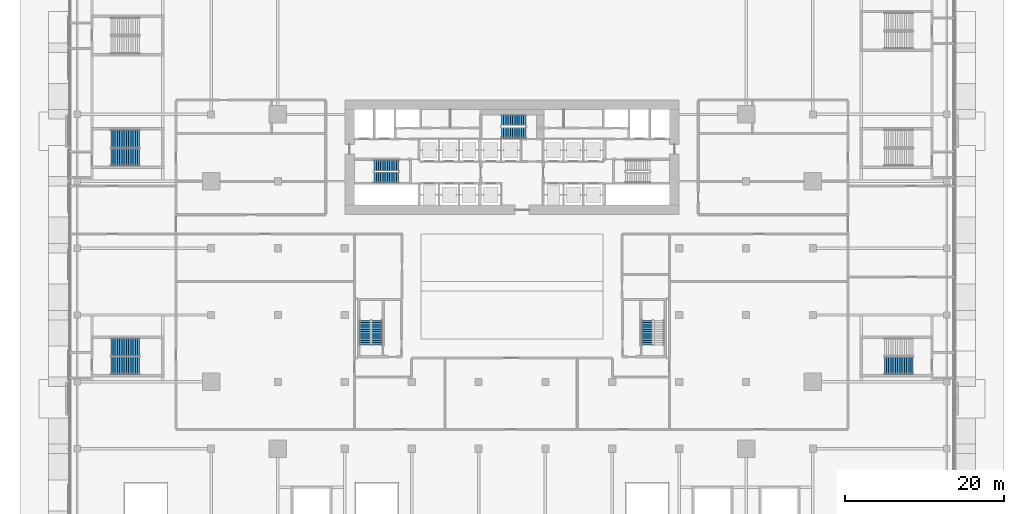
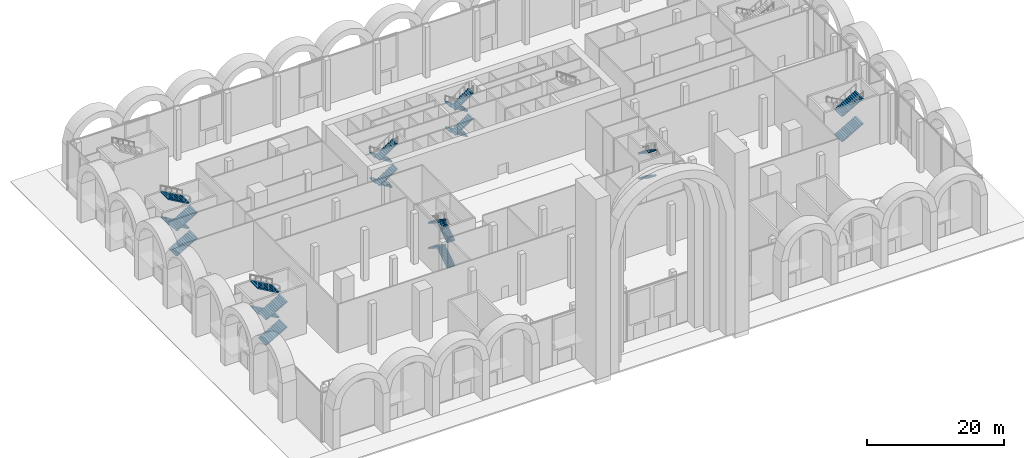
# One storey, part 31 of 43: 24 stair flights, 7 elements without a shape of their own.
"""IFC4 building model written with IfcOpenShell, lengths in metres."""

from ifc_helpers import new_model, si_unit, direction, frame, origin, place, context, subcontext, project, spatial, polyline, outline, extrude, material, type_object, element, aggregate, save


model = new_model("IFC4")

# Units and contexts
model_context = context("Model", 3, precision=1e-05, world=origin(), true_north=direction((0.0, 1.0)))
body_context = subcontext(model_context, "Body", "Model", "MODEL_VIEW")
ifc_project = project(units=[si_unit("LENGTHUNIT", "METRE"), si_unit("AREAUNIT", "SQUARE_METRE"), si_unit("VOLUMEUNIT", "CUBIC_METRE"), si_unit("PLANEANGLEUNIT", "RADIAN"), si_unit("MASSUNIT", "GRAM", prefix="KILO")], contexts=[model_context])

# Site, building, storey
site_placement = place(None, origin())
site = spatial("IfcSite", under=ifc_project, at=site_placement, CompositionType="ELEMENT")
building_placement = place(site_placement, origin())
building = spatial("IfcBuilding", under=site, at=building_placement, Name="Saffron Gate Tower", CompositionType="ELEMENT")
storey_placement = place(building_placement, origin())
storey = spatial("IfcBuildingStorey", under=building, at=storey_placement, Name="L00", CompositionType="ELEMENT", Elevation=0.0)

# Stair, stair flights
ifc_material = material(Name="Concrete C40", Category="concrete")
stair_type_1 = type_object("IfcStairType", Name="ST3 Stair 1350 wide, 48 risers of 188", PredefinedType="HALF_TURN_STAIR", material=ifc_material)
stair_1_placement = place(storey_placement, origin())
stair_1 = element("IfcStair", 1, at=stair_1_placement, inside=storey, type_object=stair_type_1, Name="L00 Exit stair A", PredefinedType="HALF_TURN_STAIR")
stair_flight_type_1 = type_object("IfcStairFlightType", Name="SF2 Stair flight 1350 wide, riser 188 going 280", PredefinedType="STRAIGHT", material=ifc_material)
stair_flight_1_placement = place(storey_placement, frame((73.35009765625, 67.375, 0.0), z_axis=(0.0, 0.0, 1.0), x_axis=(-1.0, 0.0, 0.0)))
stair_flight_1 = element("IfcStairFlight", 2, at=stair_flight_1_placement, type_object=stair_flight_type_1, Name="ST-A flight 1", NumberOfRisers=12, NumberOfTreads=11, PredefinedType="STRAIGHT", RiserHeight=0.1875, TreadLength=0.28, context=body_context, shape_type="SweptSolid", body=[
    extrude(outline(polyline([(0.0, 0.0), (0.0, 0.1875), (0.280029296875, 0.1875), (0.280029296875, 0.375), (0.56005859375, 0.375), (0.56005859375, 0.5625), (0.840087890625, 0.5625), (0.840087890625, 0.75), (1.1201171875, 0.75), (1.1201171875, 0.9375), (1.39990234375, 0.9375), (1.39990234375, 1.125), (1.679931640625, 1.125), (1.679931640625, 1.3125), (1.9599609375, 1.3125), (1.9599609375, 1.5), (2.239990234375, 1.5), (2.239990234375, 1.6875), (2.52001953125, 1.6875), (2.52001953125, 1.875), (2.800048828125, 1.875), (2.800048828125, 2.0625), (3.080078125, 2.0625), (3.080078125, 2.25), (3.080078125, 1.882080078125), (0.26953125, 0.0), (0.0, 0.0)])), frame((0.0, 0.675048828125, 0.0), z_axis=(0.0, -1.0, 0.0), x_axis=(1.0, 0.0, 0.0)), (0.0, 0.0, 1.0), 1.35009765625),
])
stair_flight_2_placement = place(storey_placement, frame((70.27001953125, 65.875, 2.25), z_axis=(0.0, 0.0, 1.0), x_axis=(1.0, 0.0, 0.0)))
stair_flight_2 = element("IfcStairFlight", 3, at=stair_flight_2_placement, type_object=stair_flight_type_1, Name="ST-A flight 2", NumberOfRisers=12, NumberOfTreads=11, PredefinedType="STRAIGHT", RiserHeight=0.1875, TreadLength=0.28, context=body_context, shape_type="SweptSolid", body=[
    extrude(outline(polyline([(0.0, 0.0), (0.0, 0.1875), (0.280029296875, 0.1875), (0.280029296875, 0.375), (0.56005859375, 0.375), (0.56005859375, 0.5625), (0.840087890625, 0.5625), (0.840087890625, 0.75), (1.1201171875, 0.75), (1.1201171875, 0.9375), (1.39990234375, 0.9375), (1.39990234375, 1.125), (1.679931640625, 1.125), (1.679931640625, 1.3125), (1.9599609375, 1.3125), (1.9599609375, 1.5), (2.239990234375, 1.5), (2.239990234375, 1.6875), (2.52001953125, 1.6875), (2.52001953125, 1.875), (2.800048828125, 1.875), (2.800048828125, 2.0625), (3.080078125, 2.0625), (3.080078125, 2.25), (3.080078125, 1.882080078125), (0.26953125, 0.0), (0.0, 0.0)])), frame((0.0, 0.675048828125, 0.0), z_axis=(0.0, -1.0, 0.0), x_axis=(1.0, 0.0, 0.0)), (0.0, 0.0, 1.0), 1.35009765625),
])
stair_flight_3_placement = place(storey_placement, frame((73.35009765625, 67.375, 4.5), z_axis=(0.0, 0.0, 1.0), x_axis=(-1.0, 0.0, 0.0)))
stair_flight_3 = element("IfcStairFlight", 4, at=stair_flight_3_placement, type_object=stair_flight_type_1, Name="ST-A flight 3", NumberOfRisers=12, NumberOfTreads=11, PredefinedType="STRAIGHT", RiserHeight=0.1875, TreadLength=0.28, context=body_context, shape_type="SweptSolid", body=[
    extrude(outline(polyline([(0.0, 0.0), (0.0, 0.1875), (0.280029296875, 0.1875), (0.280029296875, 0.375), (0.56005859375, 0.375), (0.56005859375, 0.5625), (0.840087890625, 0.5625), (0.840087890625, 0.75), (1.1201171875, 0.75), (1.1201171875, 0.9375), (1.39990234375, 0.9375), (1.39990234375, 1.125), (1.679931640625, 1.125), (1.679931640625, 1.3125), (1.9599609375, 1.3125), (1.9599609375, 1.5), (2.239990234375, 1.5), (2.239990234375, 1.6875), (2.52001953125, 1.6875), (2.52001953125, 1.875), (2.800048828125, 1.875), (2.800048828125, 2.0625), (3.080078125, 2.0625), (3.080078125, 2.25), (3.080078125, 1.882080078125), (0.26953125, 0.0), (0.0, 0.0)])), frame((0.0, 0.675048828125, 0.0), z_axis=(0.0, -1.0, 0.0), x_axis=(1.0, 0.0, 0.0)), (0.0, 0.0, 1.0), 1.35009765625),
])
stair_flight_4_placement = place(storey_placement, frame((70.27001953125, 65.875, 6.75), z_axis=(0.0, 0.0, 1.0), x_axis=(1.0, 0.0, 0.0)))
stair_flight_4 = element("IfcStairFlight", 5, at=stair_flight_4_placement, type_object=stair_flight_type_1, Name="ST-A flight 4", NumberOfRisers=12, NumberOfTreads=11, PredefinedType="STRAIGHT", RiserHeight=0.1875, TreadLength=0.28, context=body_context, shape_type="SweptSolid", body=[
    extrude(outline(polyline([(0.0, 0.0), (0.0, 0.1875), (0.280029296875, 0.1875), (0.280029296875, 0.375), (0.56005859375, 0.375), (0.56005859375, 0.5625), (0.840087890625, 0.5625), (0.840087890625, 0.75), (1.1201171875, 0.75), (1.1201171875, 0.9375), (1.39990234375, 0.9375), (1.39990234375, 1.125), (1.679931640625, 1.125), (1.679931640625, 1.3125), (1.9599609375, 1.3125), (1.9599609375, 1.5), (2.239990234375, 1.5), (2.239990234375, 1.6875), (2.52001953125, 1.6875), (2.52001953125, 1.875), (2.800048828125, 1.875), (2.800048828125, 2.0625), (3.080078125, 2.0625), (3.080078125, 2.25), (3.080078125, 1.882080078125), (0.26953125, 0.0), (0.0, 0.0)])), frame((0.0, 0.675048828125, 0.0), z_axis=(0.0, -1.0, 0.0), x_axis=(1.0, 0.0, 0.0)), (0.0, 0.0, 1.0), 1.35009765625),
])
aggregate(stair_1, [stair_flight_1, stair_flight_2, stair_flight_3, stair_flight_4])

stair_2_placement = place(storey_placement, origin())
stair_2 = element("IfcStair", 6, at=stair_2_placement, inside=storey, type_object=stair_type_1, Name="L00 Exit stair C", PredefinedType="HALF_TURN_STAIR")
stair_flight_5_placement = place(storey_placement, frame((89.35009765625, 73.074951171875, 0.0), z_axis=(0.0, 0.0, 1.0), x_axis=(-1.0, 0.0, 0.0)))
stair_flight_5 = element("IfcStairFlight", 7, at=stair_flight_5_placement, type_object=stair_flight_type_1, Name="ST-C flight 1", NumberOfRisers=12, NumberOfTreads=11, PredefinedType="STRAIGHT", RiserHeight=0.1875, TreadLength=0.28, context=body_context, shape_type="SweptSolid", body=[
    extrude(outline(polyline([(0.0, 0.0), (0.0, 0.1875), (0.280029296875, 0.1875), (0.280029296875, 0.375), (0.56005859375, 0.375), (0.56005859375, 0.5625), (0.840087890625, 0.5625), (0.840087890625, 0.75), (1.1201171875, 0.75), (1.1201171875, 0.9375), (1.39990234375, 0.9375), (1.39990234375, 1.125), (1.679931640625, 1.125), (1.679931640625, 1.3125), (1.9599609375, 1.3125), (1.9599609375, 1.5), (2.239990234375, 1.5), (2.239990234375, 1.6875), (2.52001953125, 1.6875), (2.52001953125, 1.875), (2.800048828125, 1.875), (2.800048828125, 2.0625), (3.080078125, 2.0625), (3.080078125, 2.25), (3.080078125, 1.882080078125), (0.26953125, 0.0), (0.0, 0.0)])), frame((0.0, 0.675048828125, 0.0), z_axis=(0.0, -1.0, 0.0), x_axis=(1.0, 0.0, 0.0)), (0.0, 0.0, 1.0), 1.35009765625),
])
stair_flight_6_placement = place(storey_placement, frame((86.27001953125, 71.47509765625, 2.25), z_axis=(0.0, 0.0, 1.0), x_axis=(1.0, 0.0, 0.0)))
stair_flight_6 = element("IfcStairFlight", 8, at=stair_flight_6_placement, type_object=stair_flight_type_1, Name="ST-C flight 2", NumberOfRisers=12, NumberOfTreads=11, PredefinedType="STRAIGHT", RiserHeight=0.1875, TreadLength=0.28, context=body_context, shape_type="SweptSolid", body=[
    extrude(outline(polyline([(0.0, 0.0), (0.0, 0.1875), (0.280029296875, 0.1875), (0.280029296875, 0.375), (0.56005859375, 0.375), (0.56005859375, 0.5625), (0.840087890625, 0.5625), (0.840087890625, 0.75), (1.1201171875, 0.75), (1.1201171875, 0.9375), (1.39990234375, 0.9375), (1.39990234375, 1.125), (1.679931640625, 1.125), (1.679931640625, 1.3125), (1.9599609375, 1.3125), (1.9599609375, 1.5), (2.239990234375, 1.5), (2.239990234375, 1.6875), (2.52001953125, 1.6875), (2.52001953125, 1.875), (2.800048828125, 1.875), (2.800048828125, 2.0625), (3.080078125, 2.0625), (3.080078125, 2.25), (3.080078125, 1.882080078125), (0.26953125, 0.0), (0.0, 0.0)])), frame((0.0, 0.675048828125, 0.0), z_axis=(0.0, -1.0, 0.0), x_axis=(1.0, 0.0, 0.0)), (0.0, 0.0, 1.0), 1.35009765625),
])
stair_flight_7_placement = place(storey_placement, frame((89.35009765625, 73.074951171875, 4.5), z_axis=(0.0, 0.0, 1.0), x_axis=(-1.0, 0.0, 0.0)))
stair_flight_7 = element("IfcStairFlight", 9, at=stair_flight_7_placement, type_object=stair_flight_type_1, Name="ST-C flight 3", NumberOfRisers=12, NumberOfTreads=11, PredefinedType="STRAIGHT", RiserHeight=0.1875, TreadLength=0.28, context=body_context, shape_type="SweptSolid", body=[
    extrude(outline(polyline([(0.0, 0.0), (0.0, 0.1875), (0.280029296875, 0.1875), (0.280029296875, 0.375), (0.56005859375, 0.375), (0.56005859375, 0.5625), (0.840087890625, 0.5625), (0.840087890625, 0.75), (1.1201171875, 0.75), (1.1201171875, 0.9375), (1.39990234375, 0.9375), (1.39990234375, 1.125), (1.679931640625, 1.125), (1.679931640625, 1.3125), (1.9599609375, 1.3125), (1.9599609375, 1.5), (2.239990234375, 1.5), (2.239990234375, 1.6875), (2.52001953125, 1.6875), (2.52001953125, 1.875), (2.800048828125, 1.875), (2.800048828125, 2.0625), (3.080078125, 2.0625), (3.080078125, 2.25), (3.080078125, 1.882080078125), (0.26953125, 0.0), (0.0, 0.0)])), frame((0.0, 0.675048828125, 0.0), z_axis=(0.0, -1.0, 0.0), x_axis=(1.0, 0.0, 0.0)), (0.0, 0.0, 1.0), 1.35009765625),
])
stair_flight_8_placement = place(storey_placement, frame((86.27001953125, 71.47509765625, 6.75), z_axis=(0.0, 0.0, 1.0), x_axis=(1.0, 0.0, 0.0)))
stair_flight_8 = element("IfcStairFlight", 10, at=stair_flight_8_placement, type_object=stair_flight_type_1, Name="ST-C flight 4", NumberOfRisers=12, NumberOfTreads=11, PredefinedType="STRAIGHT", RiserHeight=0.1875, TreadLength=0.28, context=body_context, shape_type="SweptSolid", body=[
    extrude(outline(polyline([(0.0, 0.0), (0.0, 0.1875), (0.280029296875, 0.1875), (0.280029296875, 0.375), (0.56005859375, 0.375), (0.56005859375, 0.5625), (0.840087890625, 0.5625), (0.840087890625, 0.75), (1.1201171875, 0.75), (1.1201171875, 0.9375), (1.39990234375, 0.9375), (1.39990234375, 1.125), (1.679931640625, 1.125), (1.679931640625, 1.3125), (1.9599609375, 1.3125), (1.9599609375, 1.5), (2.239990234375, 1.5), (2.239990234375, 1.6875), (2.52001953125, 1.6875), (2.52001953125, 1.875), (2.800048828125, 1.875), (2.800048828125, 2.0625), (3.080078125, 2.0625), (3.080078125, 2.25), (3.080078125, 1.882080078125), (0.26953125, 0.0), (0.0, 0.0)])), frame((0.0, 0.675048828125, 0.0), z_axis=(0.0, -1.0, 0.0), x_axis=(1.0, 0.0, 0.0)), (0.0, 0.0, 1.0), 1.35009765625),
])
aggregate(stair_2, [stair_flight_5, stair_flight_6, stair_flight_7, stair_flight_8])

stair_3_placement = place(storey_placement, origin())
stair_3 = element("IfcStair", 11, at=stair_3_placement, inside=storey, type_object=stair_type_1, Name="L00 Exit stair D", PredefinedType="HALF_TURN_STAIR")
stair_flight_9_placement = place(storey_placement, frame((70.625, 44.85009765625, 0.0), z_axis=(0.0, 0.0, 1.0), x_axis=(0.0, 1.0, 0.0)))
stair_flight_9 = element("IfcStairFlight", 12, at=stair_flight_9_placement, type_object=stair_flight_type_1, Name="ST-D flight 1", NumberOfRisers=12, NumberOfTreads=11, PredefinedType="STRAIGHT", RiserHeight=0.1875, TreadLength=0.28, context=body_context, shape_type="SweptSolid", body=[
    extrude(outline(polyline([(0.0, 0.0), (0.0, 0.1875), (0.280029296875, 0.1875), (0.280029296875, 0.375), (0.56005859375, 0.375), (0.56005859375, 0.5625), (0.840087890625, 0.5625), (0.840087890625, 0.75), (1.1201171875, 0.75), (1.1201171875, 0.9375), (1.39990234375, 0.9375), (1.39990234375, 1.125), (1.679931640625, 1.125), (1.679931640625, 1.3125), (1.9599609375, 1.3125), (1.9599609375, 1.5), (2.239990234375, 1.5), (2.239990234375, 1.6875), (2.52001953125, 1.6875), (2.52001953125, 1.875), (2.800048828125, 1.875), (2.800048828125, 2.0625), (3.080078125, 2.0625), (3.080078125, 2.25), (3.080078125, 1.882080078125), (0.26953125, 0.0), (0.0, 0.0)])), frame((0.0, 0.675048828125, 0.0), z_axis=(0.0, -1.0, 0.0), x_axis=(1.0, 0.0, 0.0)), (0.0, 0.0, 1.0), 1.35009765625),
])
stair_flight_10_placement = place(storey_placement, frame((69.125, 47.929931640625, 2.25), z_axis=(0.0, 0.0, 1.0), x_axis=(0.0, -1.0, 0.0)))
stair_flight_10 = element("IfcStairFlight", 13, at=stair_flight_10_placement, type_object=stair_flight_type_1, Name="ST-D flight 2", NumberOfRisers=12, NumberOfTreads=11, PredefinedType="STRAIGHT", RiserHeight=0.1875, TreadLength=0.28, context=body_context, shape_type="SweptSolid", body=[
    extrude(outline(polyline([(0.0, 0.0), (0.0, 0.1875), (0.280029296875, 0.1875), (0.280029296875, 0.375), (0.56005859375, 0.375), (0.56005859375, 0.5625), (0.840087890625, 0.5625), (0.840087890625, 0.75), (1.1201171875, 0.75), (1.1201171875, 0.9375), (1.39990234375, 0.9375), (1.39990234375, 1.125), (1.679931640625, 1.125), (1.679931640625, 1.3125), (1.9599609375, 1.3125), (1.9599609375, 1.5), (2.239990234375, 1.5), (2.239990234375, 1.6875), (2.52001953125, 1.6875), (2.52001953125, 1.875), (2.800048828125, 1.875), (2.800048828125, 2.0625), (3.080078125, 2.0625), (3.080078125, 2.25), (3.080078125, 1.882080078125), (0.26953125, 0.0), (0.0, 0.0)])), frame((0.0, 0.675048828125, 0.0), z_axis=(0.0, -1.0, 0.0), x_axis=(1.0, 0.0, 0.0)), (0.0, 0.0, 1.0), 1.35009765625),
])
stair_flight_11_placement = place(storey_placement, frame((70.625, 44.85009765625, 4.5), z_axis=(0.0, 0.0, 1.0), x_axis=(0.0, 1.0, 0.0)))
stair_flight_11 = element("IfcStairFlight", 14, at=stair_flight_11_placement, type_object=stair_flight_type_1, Name="ST-D flight 3", NumberOfRisers=12, NumberOfTreads=11, PredefinedType="STRAIGHT", RiserHeight=0.1875, TreadLength=0.28, context=body_context, shape_type="SweptSolid", body=[
    extrude(outline(polyline([(0.0, 0.0), (0.0, 0.1875), (0.280029296875, 0.1875), (0.280029296875, 0.375), (0.56005859375, 0.375), (0.56005859375, 0.5625), (0.840087890625, 0.5625), (0.840087890625, 0.75), (1.1201171875, 0.75), (1.1201171875, 0.9375), (1.39990234375, 0.9375), (1.39990234375, 1.125), (1.679931640625, 1.125), (1.679931640625, 1.3125), (1.9599609375, 1.3125), (1.9599609375, 1.5), (2.239990234375, 1.5), (2.239990234375, 1.6875), (2.52001953125, 1.6875), (2.52001953125, 1.875), (2.800048828125, 1.875), (2.800048828125, 2.0625), (3.080078125, 2.0625), (3.080078125, 2.25), (3.080078125, 1.882080078125), (0.26953125, 0.0), (0.0, 0.0)])), frame((0.0, 0.675048828125, 0.0), z_axis=(0.0, -1.0, 0.0), x_axis=(1.0, 0.0, 0.0)), (0.0, 0.0, 1.0), 1.35009765625),
])
stair_flight_12_placement = place(storey_placement, frame((69.125, 47.929931640625, 6.75), z_axis=(0.0, 0.0, 1.0), x_axis=(0.0, -1.0, 0.0)))
stair_flight_12 = element("IfcStairFlight", 15, at=stair_flight_12_placement, type_object=stair_flight_type_1, Name="ST-D flight 4", NumberOfRisers=12, NumberOfTreads=11, PredefinedType="STRAIGHT", RiserHeight=0.1875, TreadLength=0.28, context=body_context, shape_type="SweptSolid", body=[
    extrude(outline(polyline([(0.0, 0.0), (0.0, 0.1875), (0.280029296875, 0.1875), (0.280029296875, 0.375), (0.56005859375, 0.375), (0.56005859375, 0.5625), (0.840087890625, 0.5625), (0.840087890625, 0.75), (1.1201171875, 0.75), (1.1201171875, 0.9375), (1.39990234375, 0.9375), (1.39990234375, 1.125), (1.679931640625, 1.125), (1.679931640625, 1.3125), (1.9599609375, 1.3125), (1.9599609375, 1.5), (2.239990234375, 1.5), (2.239990234375, 1.6875), (2.52001953125, 1.6875), (2.52001953125, 1.875), (2.800048828125, 1.875), (2.800048828125, 2.0625), (3.080078125, 2.0625), (3.080078125, 2.25), (3.080078125, 1.882080078125), (0.26953125, 0.0), (0.0, 0.0)])), frame((0.0, 0.675048828125, 0.0), z_axis=(0.0, -1.0, 0.0), x_axis=(1.0, 0.0, 0.0)), (0.0, 0.0, 1.0), 1.35009765625),
])
aggregate(stair_3, [stair_flight_9, stair_flight_10, stair_flight_11, stair_flight_12])

stair_4_placement = place(storey_placement, origin())
stair_4 = element("IfcStair", 16, at=stair_4_placement, inside=storey, type_object=stair_type_1, Name="L00 Exit stair E", PredefinedType="HALF_TURN_STAIR")
stair_flight_13_placement = place(storey_placement, frame((104.574951171875, 47.929931640625, 2.25), z_axis=(0.0, 0.0, 1.0), x_axis=(0.0, -1.0, 0.0)))
stair_flight_13 = element("IfcStairFlight", 17, at=stair_flight_13_placement, type_object=stair_flight_type_1, Name="ST-E flight 2", NumberOfRisers=12, NumberOfTreads=11, PredefinedType="STRAIGHT", RiserHeight=0.1875, TreadLength=0.28, context=body_context, shape_type="SweptSolid", body=[
    extrude(outline(polyline([(0.0, 0.0), (0.0, 0.1875), (0.280029296875, 0.1875), (0.280029296875, 0.375), (0.56005859375, 0.375), (0.56005859375, 0.5625), (0.840087890625, 0.5625), (0.840087890625, 0.75), (1.1201171875, 0.75), (1.1201171875, 0.9375), (1.39990234375, 0.9375), (1.39990234375, 1.125), (1.679931640625, 1.125), (1.679931640625, 1.3125), (1.9599609375, 1.3125), (1.9599609375, 1.5), (2.239990234375, 1.5), (2.239990234375, 1.6875), (2.52001953125, 1.6875), (2.52001953125, 1.875), (2.800048828125, 1.875), (2.800048828125, 2.0625), (3.080078125, 2.0625), (3.080078125, 2.25), (3.080078125, 1.882080078125), (0.26953125, 0.0), (0.0, 0.0)])), frame((0.0, 0.675048828125, 0.0), z_axis=(0.0, -1.0, 0.0), x_axis=(1.0, 0.0, 0.0)), (0.0, 0.0, 1.0), 1.35009765625),
])
stair_flight_14_placement = place(storey_placement, frame((104.574951171875, 47.929931640625, 6.75), z_axis=(0.0, 0.0, 1.0), x_axis=(0.0, -1.0, 0.0)))
stair_flight_14 = element("IfcStairFlight", 18, at=stair_flight_14_placement, type_object=stair_flight_type_1, Name="ST-E flight 4", NumberOfRisers=12, NumberOfTreads=11, PredefinedType="STRAIGHT", RiserHeight=0.1875, TreadLength=0.28, context=body_context, shape_type="SweptSolid", body=[
    extrude(outline(polyline([(0.0, 0.0), (0.0, 0.1875), (0.280029296875, 0.1875), (0.280029296875, 0.375), (0.56005859375, 0.375), (0.56005859375, 0.5625), (0.840087890625, 0.5625), (0.840087890625, 0.75), (1.1201171875, 0.75), (1.1201171875, 0.9375), (1.39990234375, 0.9375), (1.39990234375, 1.125), (1.679931640625, 1.125), (1.679931640625, 1.3125), (1.9599609375, 1.3125), (1.9599609375, 1.5), (2.239990234375, 1.5), (2.239990234375, 1.6875), (2.52001953125, 1.6875), (2.52001953125, 1.875), (2.800048828125, 1.875), (2.800048828125, 2.0625), (3.080078125, 2.0625), (3.080078125, 2.25), (3.080078125, 1.882080078125), (0.26953125, 0.0), (0.0, 0.0)])), frame((0.0, 0.675048828125, 0.0), z_axis=(0.0, -1.0, 0.0), x_axis=(1.0, 0.0, 0.0)), (0.0, 0.0, 1.0), 1.35009765625),
])
aggregate(stair_4, [stair_flight_13, stair_flight_14])

stair_type_2 = type_object("IfcStairType", Name="ST9 Stair 2200 wide, 56 risers of 161", PredefinedType="HALF_TURN_STAIR", material=ifc_material)
stair_5_placement = place(storey_placement, origin())
stair_5 = element("IfcStair", 19, at=stair_5_placement, inside=storey, type_object=stair_type_2, Name="L00 Exit stair G", PredefinedType="HALF_TURN_STAIR")
stair_flight_type_2 = type_object("IfcStairFlightType", Name="SF5 Stair flight 2200 wide, riser 161 going 280", PredefinedType="STRAIGHT", material=ifc_material)
stair_flight_15_placement = place(storey_placement, frame((37.199951171875, 68.425048828125, 0.0), z_axis=(0.0, 0.0, 1.0), x_axis=(1.0, 0.0, 0.0)))
stair_flight_15 = element("IfcStairFlight", 20, at=stair_flight_15_placement, type_object=stair_flight_type_2, Name="ST-G flight 1", NumberOfRisers=14, NumberOfTreads=13, PredefinedType="STRAIGHT", RiserHeight=0.160714286, TreadLength=0.28, context=body_context, shape_type="SweptSolid", body=[
    extrude(outline(polyline([(0.0, 0.0), (0.0, 0.16064453125), (0.280029296875, 0.16064453125), (0.280029296875, 0.321533203125), (0.56005859375, 0.321533203125), (0.56005859375, 0.482177734375), (0.840087890625, 0.482177734375), (0.840087890625, 0.642822265625), (1.1201171875, 0.642822265625), (1.1201171875, 0.803466796875), (1.39990234375, 0.803466796875), (1.39990234375, 0.96435546875), (1.679931640625, 0.96435546875), (1.679931640625, 1.125), (1.9599609375, 1.125), (1.9599609375, 1.28564453125), (2.239990234375, 1.28564453125), (2.239990234375, 1.446533203125), (2.52001953125, 1.446533203125), (2.52001953125, 1.607177734375), (2.800048828125, 1.607177734375), (2.800048828125, 1.767822265625), (3.080078125, 1.767822265625), (3.080078125, 1.928466796875), (3.360107421875, 1.928466796875), (3.360107421875, 2.08935546875), (3.639892578125, 2.08935546875), (3.639892578125, 2.25), (3.639892578125, 1.91650390625), (0.301025390625, 0.0), (0.0, 0.0)])), frame((0.0, 1.10009765625, 0.0), z_axis=(0.0, -1.0, 0.0), x_axis=(1.0, 0.0, 0.0)), (0.0, 0.0, 1.0), 2.199951171875),
])
stair_flight_16_placement = place(storey_placement, frame((40.840087890625, 70.77490234375, 2.25), z_axis=(0.0, 0.0, 1.0), x_axis=(-1.0, 0.0, 0.0)))
stair_flight_16 = element("IfcStairFlight", 21, at=stair_flight_16_placement, type_object=stair_flight_type_2, Name="ST-G flight 2", NumberOfRisers=14, NumberOfTreads=13, PredefinedType="STRAIGHT", RiserHeight=0.160714286, TreadLength=0.28, context=body_context, shape_type="SweptSolid", body=[
    extrude(outline(polyline([(0.0, 0.0), (0.0, 0.16064453125), (0.280029296875, 0.16064453125), (0.280029296875, 0.321533203125), (0.56005859375, 0.321533203125), (0.56005859375, 0.482177734375), (0.840087890625, 0.482177734375), (0.840087890625, 0.642822265625), (1.1201171875, 0.642822265625), (1.1201171875, 0.803466796875), (1.39990234375, 0.803466796875), (1.39990234375, 0.96435546875), (1.679931640625, 0.96435546875), (1.679931640625, 1.125), (1.9599609375, 1.125), (1.9599609375, 1.28564453125), (2.239990234375, 1.28564453125), (2.239990234375, 1.446533203125), (2.52001953125, 1.446533203125), (2.52001953125, 1.607177734375), (2.800048828125, 1.607177734375), (2.800048828125, 1.767822265625), (3.080078125, 1.767822265625), (3.080078125, 1.928466796875), (3.360107421875, 1.928466796875), (3.360107421875, 2.08935546875), (3.639892578125, 2.08935546875), (3.639892578125, 2.25), (3.639892578125, 1.91650390625), (0.301025390625, 0.0), (0.0, 0.0)])), frame((0.0, 1.10009765625, 0.0), z_axis=(0.0, -1.0, 0.0), x_axis=(1.0, 0.0, 0.0)), (0.0, 0.0, 1.0), 2.199951171875),
])
stair_flight_17_placement = place(storey_placement, frame((37.199951171875, 68.425048828125, 4.5), z_axis=(0.0, 0.0, 1.0), x_axis=(1.0, 0.0, 0.0)))
stair_flight_17 = element("IfcStairFlight", 22, at=stair_flight_17_placement, type_object=stair_flight_type_2, Name="ST-G flight 3", NumberOfRisers=14, NumberOfTreads=13, PredefinedType="STRAIGHT", RiserHeight=0.160714286, TreadLength=0.28, context=body_context, shape_type="SweptSolid", body=[
    extrude(outline(polyline([(0.0, 0.0), (0.0, 0.16064453125), (0.280029296875, 0.16064453125), (0.280029296875, 0.321533203125), (0.56005859375, 0.321533203125), (0.56005859375, 0.482177734375), (0.840087890625, 0.482177734375), (0.840087890625, 0.642822265625), (1.1201171875, 0.642822265625), (1.1201171875, 0.803466796875), (1.39990234375, 0.803466796875), (1.39990234375, 0.96435546875), (1.679931640625, 0.96435546875), (1.679931640625, 1.125), (1.9599609375, 1.125), (1.9599609375, 1.28564453125), (2.239990234375, 1.28564453125), (2.239990234375, 1.446533203125), (2.52001953125, 1.446533203125), (2.52001953125, 1.607177734375), (2.800048828125, 1.607177734375), (2.800048828125, 1.767822265625), (3.080078125, 1.767822265625), (3.080078125, 1.928466796875), (3.360107421875, 1.928466796875), (3.360107421875, 2.08935546875), (3.639892578125, 2.08935546875), (3.639892578125, 2.25), (3.639892578125, 1.91650390625), (0.301025390625, 0.0), (0.0, 0.0)])), frame((0.0, 1.10009765625, 0.0), z_axis=(0.0, -1.0, 0.0), x_axis=(1.0, 0.0, 0.0)), (0.0, 0.0, 1.0), 2.199951171875),
])
stair_flight_18_placement = place(storey_placement, frame((40.840087890625, 70.77490234375, 6.75), z_axis=(0.0, 0.0, 1.0), x_axis=(-1.0, 0.0, 0.0)))
stair_flight_18 = element("IfcStairFlight", 23, at=stair_flight_18_placement, type_object=stair_flight_type_2, Name="ST-G flight 4", NumberOfRisers=14, NumberOfTreads=13, PredefinedType="STRAIGHT", RiserHeight=0.160714286, TreadLength=0.28, context=body_context, shape_type="SweptSolid", body=[
    extrude(outline(polyline([(0.0, 0.0), (0.0, 0.16064453125), (0.280029296875, 0.16064453125), (0.280029296875, 0.321533203125), (0.56005859375, 0.321533203125), (0.56005859375, 0.482177734375), (0.840087890625, 0.482177734375), (0.840087890625, 0.642822265625), (1.1201171875, 0.642822265625), (1.1201171875, 0.803466796875), (1.39990234375, 0.803466796875), (1.39990234375, 0.96435546875), (1.679931640625, 0.96435546875), (1.679931640625, 1.125), (1.9599609375, 1.125), (1.9599609375, 1.28564453125), (2.239990234375, 1.28564453125), (2.239990234375, 1.446533203125), (2.52001953125, 1.446533203125), (2.52001953125, 1.607177734375), (2.800048828125, 1.607177734375), (2.800048828125, 1.767822265625), (3.080078125, 1.767822265625), (3.080078125, 1.928466796875), (3.360107421875, 1.928466796875), (3.360107421875, 2.08935546875), (3.639892578125, 2.08935546875), (3.639892578125, 2.25), (3.639892578125, 1.91650390625), (0.301025390625, 0.0), (0.0, 0.0)])), frame((0.0, 1.10009765625, 0.0), z_axis=(0.0, -1.0, 0.0), x_axis=(1.0, 0.0, 0.0)), (0.0, 0.0, 1.0), 2.199951171875),
])
aggregate(stair_5, [stair_flight_15, stair_flight_16, stair_flight_17, stair_flight_18])

stair_6_placement = place(storey_placement, origin())
stair_6 = element("IfcStair", 24, at=stair_6_placement, inside=storey, type_object=stair_type_2, Name="L00 Exit stair H", PredefinedType="HALF_TURN_STAIR")
stair_flight_19_placement = place(storey_placement, frame((37.199951171875, 42.22509765625, 0.0), z_axis=(0.0, 0.0, 1.0), x_axis=(1.0, 0.0, 0.0)))
stair_flight_19 = element("IfcStairFlight", 25, at=stair_flight_19_placement, type_object=stair_flight_type_2, Name="ST-H flight 1", NumberOfRisers=14, NumberOfTreads=13, PredefinedType="STRAIGHT", RiserHeight=0.160714286, TreadLength=0.28, context=body_context, shape_type="SweptSolid", body=[
    extrude(outline(polyline([(0.0, 0.0), (0.0, 0.16064453125), (0.280029296875, 0.16064453125), (0.280029296875, 0.321533203125), (0.56005859375, 0.321533203125), (0.56005859375, 0.482177734375), (0.840087890625, 0.482177734375), (0.840087890625, 0.642822265625), (1.1201171875, 0.642822265625), (1.1201171875, 0.803466796875), (1.39990234375, 0.803466796875), (1.39990234375, 0.96435546875), (1.679931640625, 0.96435546875), (1.679931640625, 1.125), (1.9599609375, 1.125), (1.9599609375, 1.28564453125), (2.239990234375, 1.28564453125), (2.239990234375, 1.446533203125), (2.52001953125, 1.446533203125), (2.52001953125, 1.607177734375), (2.800048828125, 1.607177734375), (2.800048828125, 1.767822265625), (3.080078125, 1.767822265625), (3.080078125, 1.928466796875), (3.360107421875, 1.928466796875), (3.360107421875, 2.08935546875), (3.639892578125, 2.08935546875), (3.639892578125, 2.25), (3.639892578125, 1.91650390625), (0.301025390625, 0.0), (0.0, 0.0)])), frame((0.0, 1.10009765625, 0.0), z_axis=(0.0, -1.0, 0.0), x_axis=(1.0, 0.0, 0.0)), (0.0, 0.0, 1.0), 2.199951171875),
])
stair_flight_20_placement = place(storey_placement, frame((40.840087890625, 44.574951171875, 2.25), z_axis=(0.0, 0.0, 1.0), x_axis=(-1.0, 0.0, 0.0)))
stair_flight_20 = element("IfcStairFlight", 26, at=stair_flight_20_placement, type_object=stair_flight_type_2, Name="ST-H flight 2", NumberOfRisers=14, NumberOfTreads=13, PredefinedType="STRAIGHT", RiserHeight=0.160714286, TreadLength=0.28, context=body_context, shape_type="SweptSolid", body=[
    extrude(outline(polyline([(0.0, 0.0), (0.0, 0.16064453125), (0.280029296875, 0.16064453125), (0.280029296875, 0.321533203125), (0.56005859375, 0.321533203125), (0.56005859375, 0.482177734375), (0.840087890625, 0.482177734375), (0.840087890625, 0.642822265625), (1.1201171875, 0.642822265625), (1.1201171875, 0.803466796875), (1.39990234375, 0.803466796875), (1.39990234375, 0.96435546875), (1.679931640625, 0.96435546875), (1.679931640625, 1.125), (1.9599609375, 1.125), (1.9599609375, 1.28564453125), (2.239990234375, 1.28564453125), (2.239990234375, 1.446533203125), (2.52001953125, 1.446533203125), (2.52001953125, 1.607177734375), (2.800048828125, 1.607177734375), (2.800048828125, 1.767822265625), (3.080078125, 1.767822265625), (3.080078125, 1.928466796875), (3.360107421875, 1.928466796875), (3.360107421875, 2.08935546875), (3.639892578125, 2.08935546875), (3.639892578125, 2.25), (3.639892578125, 1.91650390625), (0.301025390625, 0.0), (0.0, 0.0)])), frame((0.0, 1.10009765625, 0.0), z_axis=(0.0, -1.0, 0.0), x_axis=(1.0, 0.0, 0.0)), (0.0, 0.0, 1.0), 2.199951171875),
])
stair_flight_21_placement = place(storey_placement, frame((37.199951171875, 42.22509765625, 4.5), z_axis=(0.0, 0.0, 1.0), x_axis=(1.0, 0.0, 0.0)))
stair_flight_21 = element("IfcStairFlight", 27, at=stair_flight_21_placement, type_object=stair_flight_type_2, Name="ST-H flight 3", NumberOfRisers=14, NumberOfTreads=13, PredefinedType="STRAIGHT", RiserHeight=0.160714286, TreadLength=0.28, context=body_context, shape_type="SweptSolid", body=[
    extrude(outline(polyline([(0.0, 0.0), (0.0, 0.16064453125), (0.280029296875, 0.16064453125), (0.280029296875, 0.321533203125), (0.56005859375, 0.321533203125), (0.56005859375, 0.482177734375), (0.840087890625, 0.482177734375), (0.840087890625, 0.642822265625), (1.1201171875, 0.642822265625), (1.1201171875, 0.803466796875), (1.39990234375, 0.803466796875), (1.39990234375, 0.96435546875), (1.679931640625, 0.96435546875), (1.679931640625, 1.125), (1.9599609375, 1.125), (1.9599609375, 1.28564453125), (2.239990234375, 1.28564453125), (2.239990234375, 1.446533203125), (2.52001953125, 1.446533203125), (2.52001953125, 1.607177734375), (2.800048828125, 1.607177734375), (2.800048828125, 1.767822265625), (3.080078125, 1.767822265625), (3.080078125, 1.928466796875), (3.360107421875, 1.928466796875), (3.360107421875, 2.08935546875), (3.639892578125, 2.08935546875), (3.639892578125, 2.25), (3.639892578125, 1.91650390625), (0.301025390625, 0.0), (0.0, 0.0)])), frame((0.0, 1.10009765625, 0.0), z_axis=(0.0, -1.0, 0.0), x_axis=(1.0, 0.0, 0.0)), (0.0, 0.0, 1.0), 2.199951171875),
])
stair_flight_22_placement = place(storey_placement, frame((40.840087890625, 44.574951171875, 6.75), z_axis=(0.0, 0.0, 1.0), x_axis=(-1.0, 0.0, 0.0)))
stair_flight_22 = element("IfcStairFlight", 28, at=stair_flight_22_placement, type_object=stair_flight_type_2, Name="ST-H flight 4", NumberOfRisers=14, NumberOfTreads=13, PredefinedType="STRAIGHT", RiserHeight=0.160714286, TreadLength=0.28, context=body_context, shape_type="SweptSolid", body=[
    extrude(outline(polyline([(0.0, 0.0), (0.0, 0.16064453125), (0.280029296875, 0.16064453125), (0.280029296875, 0.321533203125), (0.56005859375, 0.321533203125), (0.56005859375, 0.482177734375), (0.840087890625, 0.482177734375), (0.840087890625, 0.642822265625), (1.1201171875, 0.642822265625), (1.1201171875, 0.803466796875), (1.39990234375, 0.803466796875), (1.39990234375, 0.96435546875), (1.679931640625, 0.96435546875), (1.679931640625, 1.125), (1.9599609375, 1.125), (1.9599609375, 1.28564453125), (2.239990234375, 1.28564453125), (2.239990234375, 1.446533203125), (2.52001953125, 1.446533203125), (2.52001953125, 1.607177734375), (2.800048828125, 1.607177734375), (2.800048828125, 1.767822265625), (3.080078125, 1.767822265625), (3.080078125, 1.928466796875), (3.360107421875, 1.928466796875), (3.360107421875, 2.08935546875), (3.639892578125, 2.08935546875), (3.639892578125, 2.25), (3.639892578125, 1.91650390625), (0.301025390625, 0.0), (0.0, 0.0)])), frame((0.0, 1.10009765625, 0.0), z_axis=(0.0, -1.0, 0.0), x_axis=(1.0, 0.0, 0.0)), (0.0, 0.0, 1.0), 2.199951171875),
])
aggregate(stair_6, [stair_flight_19, stair_flight_20, stair_flight_21, stair_flight_22])

stair_7_placement = place(storey_placement, origin())
stair_7 = element("IfcStair", 29, at=stair_7_placement, inside=storey, type_object=stair_type_2, Name="L00 Exit stair K", PredefinedType="HALF_TURN_STAIR")
stair_flight_23_placement = place(storey_placement, frame((134.360107421875, 42.22509765625, 2.25), z_axis=(0.0, 0.0, 1.0), x_axis=(1.0, 0.0, 0.0)))
stair_flight_23 = element("IfcStairFlight", 30, at=stair_flight_23_placement, type_object=stair_flight_type_2, Name="ST-K flight 2", NumberOfRisers=14, NumberOfTreads=13, PredefinedType="STRAIGHT", RiserHeight=0.160714286, TreadLength=0.28, context=body_context, shape_type="SweptSolid", body=[
    extrude(outline(polyline([(0.0, 0.0), (0.0, 0.16064453125), (0.280029296875, 0.16064453125), (0.280029296875, 0.321533203125), (0.56005859375, 0.321533203125), (0.56005859375, 0.482177734375), (0.840087890625, 0.482177734375), (0.840087890625, 0.642822265625), (1.1201171875, 0.642822265625), (1.1201171875, 0.803466796875), (1.39990234375, 0.803466796875), (1.39990234375, 0.96435546875), (1.679931640625, 0.96435546875), (1.679931640625, 1.125), (1.9599609375, 1.125), (1.9599609375, 1.28564453125), (2.239990234375, 1.28564453125), (2.239990234375, 1.446533203125), (2.52001953125, 1.446533203125), (2.52001953125, 1.607177734375), (2.800048828125, 1.607177734375), (2.800048828125, 1.767822265625), (3.080078125, 1.767822265625), (3.080078125, 1.928466796875), (3.360107421875, 1.928466796875), (3.360107421875, 2.08935546875), (3.639892578125, 2.08935546875), (3.639892578125, 2.25), (3.639892578125, 1.91650390625), (0.301025390625, 0.0), (0.0, 0.0)])), frame((0.0, 1.10009765625, 0.0), z_axis=(0.0, -1.0, 0.0), x_axis=(1.0, 0.0, 0.0)), (0.0, 0.0, 1.0), 2.199951171875),
])
stair_flight_24_placement = place(storey_placement, frame((134.360107421875, 42.22509765625, 6.75), z_axis=(0.0, 0.0, 1.0), x_axis=(1.0, 0.0, 0.0)))
stair_flight_24 = element("IfcStairFlight", 31, at=stair_flight_24_placement, type_object=stair_flight_type_2, Name="ST-K flight 4", NumberOfRisers=14, NumberOfTreads=13, PredefinedType="STRAIGHT", RiserHeight=0.160714286, TreadLength=0.28, context=body_context, shape_type="SweptSolid", body=[
    extrude(outline(polyline([(0.0, 0.0), (0.0, 0.16064453125), (0.280029296875, 0.16064453125), (0.280029296875, 0.321533203125), (0.56005859375, 0.321533203125), (0.56005859375, 0.482177734375), (0.840087890625, 0.482177734375), (0.840087890625, 0.642822265625), (1.1201171875, 0.642822265625), (1.1201171875, 0.803466796875), (1.39990234375, 0.803466796875), (1.39990234375, 0.96435546875), (1.679931640625, 0.96435546875), (1.679931640625, 1.125), (1.9599609375, 1.125), (1.9599609375, 1.28564453125), (2.239990234375, 1.28564453125), (2.239990234375, 1.446533203125), (2.52001953125, 1.446533203125), (2.52001953125, 1.607177734375), (2.800048828125, 1.607177734375), (2.800048828125, 1.767822265625), (3.080078125, 1.767822265625), (3.080078125, 1.928466796875), (3.360107421875, 1.928466796875), (3.360107421875, 2.08935546875), (3.639892578125, 2.08935546875), (3.639892578125, 2.25), (3.639892578125, 1.91650390625), (0.301025390625, 0.0), (0.0, 0.0)])), frame((0.0, 1.10009765625, 0.0), z_axis=(0.0, -1.0, 0.0), x_axis=(1.0, 0.0, 0.0)), (0.0, 0.0, 1.0), 2.199951171875),
])
aggregate(stair_7, [stair_flight_23, stair_flight_24])

save(model, "model.ifc")
